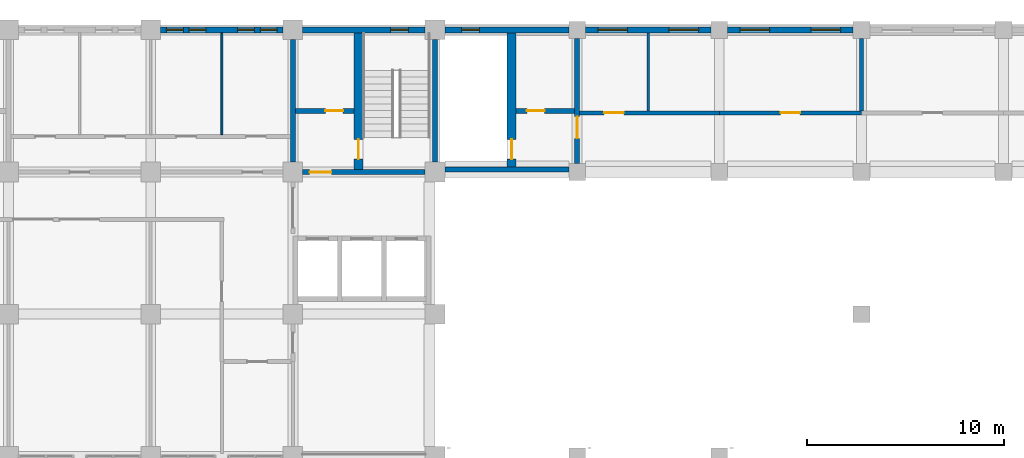
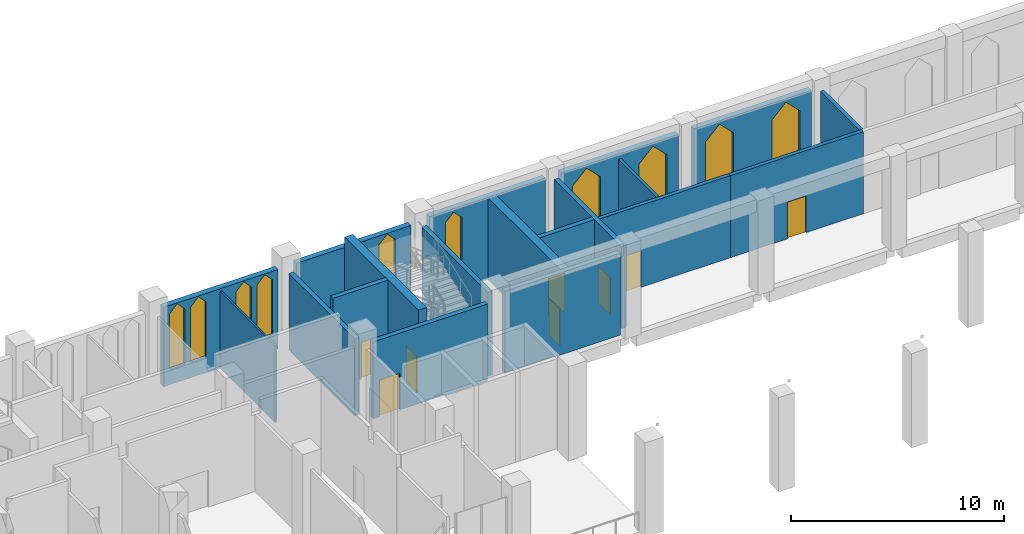
# One storey, part 32 of 48: 19 walls, 10 windows, 8 doors, 18 openings.
"""IFC4 building model written with IfcOpenShell, lengths in metres."""

from ifc_helpers import new_model, si_unit, direction, frame, frame_2d, origin, place, context, subcontext, project, spatial, polyline, rectangle, outline, extrude, material, layer, layer_set, type_object, element, fill, save


model = new_model("IFC4")

# Units and contexts
model_context = context("Model", 3, precision=1e-05, world=origin(), true_north=direction((0.0, 1.0)))
body_context = subcontext(model_context, "Body", "Model", "MODEL_VIEW")
ifc_project = project(units=[si_unit("LENGTHUNIT", "METRE"), si_unit("AREAUNIT", "SQUARE_METRE"), si_unit("VOLUMEUNIT", "CUBIC_METRE"), si_unit("PLANEANGLEUNIT", "RADIAN"), si_unit("MASSUNIT", "GRAM", prefix="KILO")], contexts=[model_context])

# Site, building, storey
site_placement = place(None, origin())
site = spatial("IfcSite", under=ifc_project, at=site_placement, CompositionType="ELEMENT")
building_placement = place(site_placement, origin())
building = spatial("IfcBuilding", under=site, at=building_placement, Name="Silangan Lancet Faculty of Sciences", CompositionType="ELEMENT")
storey_placement = place(building_placement, frame((0.0, 0.0, 6.0)))
storey = spatial("IfcBuildingStorey", under=building, at=storey_placement, Name="L01", CompositionType="ELEMENT", Elevation=6.0)

# Wall, opening, window
ifc_material_1 = material(Name="Concrete C40/50 precast", Category="concrete")
ifc_layer_1 = layer(ifc_material_1, 0.300048828125)
ifc_layer_set_1 = layer_set([ifc_layer_1], Name="Concrete C40/50 precast")
wall_type_1 = type_object("IfcWallType", Name="EW2 Turret enclosure wall", PredefinedType="STANDARD", material=ifc_layer_set_1)
wall_1_placement = place(storey_placement, frame((35.574951171875, 57.60009765625, 0.0), z_axis=(0.0, 0.0, 1.0), x_axis=(-1.0, 0.0, 0.0)))
wall_1 = element("IfcWall", 1, at=wall_1_placement, inside=storey, type_object=wall_type_1, Name="EW-L01-N-NAB-05", PredefinedType="STANDARD", context=body_context, shape_type="SweptSolid", body=[
    extrude(rectangle(XDim=6.27490234375, YDim=0.300048828125, at=frame_2d((3.137451171875, 0.0))), origin(), (0.0, 0.0, 1.0), 4.699951171875),
])
opening_1_placement = place(wall_1_placement, frame((4.52490234375, 0.0, 0.89990234375)))
opening_1 = element("IfcOpeningElement", 2, at=opening_1_placement, cuts=wall_1, Name="Opening W5", PredefinedType="OPENING", context=body_context, shape_type="SweptSolid", body=[
    extrude(outline(polyline([(0.0, 0.0), (0.89990234375, 0.0), (0.89990234375, 3.150146484375), (0.449951171875, 3.60009765625), (0.0, 3.150146484375), (0.0, 0.0)])), frame((0.0, 0.159912109375, 0.0), z_axis=(0.0, -1.0, 0.0), x_axis=(1.0, 0.0, 0.0)), (0.0, 0.0, 1.0), 0.320068359375),
])
ifc_material_2 = material(Name="Aluminium frame, laminated double glazing", Category="aluminium")
window_type_1 = type_object("IfcWindowType", Name="W5 Lancet window 900 x 3600", PartitioningType="SINGLE_PANEL", PredefinedType="WINDOW", material=ifc_material_2)
window_1_placement = place(opening_1_placement, origin())
window_1 = element("IfcWindow", 3, at=window_1_placement, inside=storey, type_object=window_type_1, Name="WIN-L01-N-NAB-05b", OverallHeight=3.60009765625, OverallWidth=0.89990234375, PartitioningType="SINGLE_PANEL", PredefinedType="WINDOW", context=body_context, shape_type="SweptSolid", body=[
    extrude(outline(polyline([(0.0, 0.0), (0.89990234375, 0.0), (0.89990234375, 3.150146484375), (0.449951171875, 3.60009765625), (0.0, 3.150146484375), (0.0, 0.0)])), frame((0.0, 0.030029296875, 0.0), z_axis=(0.0, -1.0, 0.0), x_axis=(1.0, 0.0, 0.0)), (0.0, 0.0, 1.0), 0.06005859375),
])
fill(opening_1, window_1)

wall_2_placement = place(storey_placement, frame((28.300048828125, 57.60009765625, 0.0), z_axis=(0.0, 0.0, 1.0), x_axis=(-1.0, 0.0, 0.0)))
wall_2 = element("IfcWall", 4, at=wall_2_placement, inside=storey, type_object=wall_type_1, Name="EW-L01-N-NT-00", PredefinedType="STANDARD", context=body_context, shape_type="SweptSolid", body=[
    extrude(rectangle(XDim=6.199951171875, YDim=0.300048828125, at=frame_2d((3.10009765625, 0.0))), origin(), (0.0, 0.0, 1.0), 4.550048828125),
])
opening_2_placement = place(wall_2_placement, frame((0.85009765625, 0.0, 0.89990234375)))
opening_2 = element("IfcOpeningElement", 5, at=opening_2_placement, cuts=wall_2, Name="Opening W5", PredefinedType="OPENING", context=body_context, shape_type="SweptSolid", body=[
    extrude(outline(polyline([(0.0, 0.0), (0.89990234375, 0.0), (0.89990234375, 3.150146484375), (0.449951171875, 3.60009765625), (0.0, 3.150146484375), (0.0, 0.0)])), frame((0.0, 0.159912109375, 0.0), z_axis=(0.0, -1.0, 0.0), x_axis=(1.0, 0.0, 0.0)), (0.0, 0.0, 1.0), 0.320068359375),
])
window_2_placement = place(opening_2_placement, origin())
window_2 = element("IfcWindow", 6, at=window_2_placement, inside=storey, type_object=window_type_1, Name="WIN-L01-N-NT-00a", OverallHeight=3.60009765625, OverallWidth=0.89990234375, PartitioningType="SINGLE_PANEL", PredefinedType="WINDOW", context=body_context, shape_type="SweptSolid", body=[
    extrude(outline(polyline([(0.0, 0.0), (0.89990234375, 0.0), (0.89990234375, 3.150146484375), (0.449951171875, 3.60009765625), (0.0, 3.150146484375), (0.0, 0.0)])), frame((0.0, 0.030029296875, 0.0), z_axis=(0.0, -1.0, 0.0), x_axis=(1.0, 0.0, 0.0)), (0.0, 0.0, 1.0), 0.06005859375),
])
fill(opening_2, window_2)

# Wall, openings, windows
ifc_material_3 = material(Name="Concrete C40/50", Category="concrete")
ifc_layer_2 = layer(ifc_material_3, 0.300048828125)
ifc_layer_set_2 = layer_set([ifc_layer_2], Name="Concrete C40/50")
wall_type_2 = type_object("IfcWallType", Name="EW6 Stone-faced base wall", PredefinedType="STANDARD", material=ifc_layer_set_2)
wall_3_placement = place(storey_placement, frame((49.97509765625, 57.60009765625, 0.0), z_axis=(0.0, 0.0, 1.0), x_axis=(-1.0, 0.0, 0.0)))
wall_3 = element("IfcWall", 7, at=wall_3_placement, inside=storey, type_object=wall_type_2, Name="EW-L01-N-NAB-03", PredefinedType="STANDARD", context=body_context, shape_type="SweptSolid", body=[
    extrude(rectangle(XDim=6.35009765625, YDim=0.300048828125, at=frame_2d((3.175048828125, 0.0))), origin(), (0.0, 0.0, 1.0), 4.699951171875),
])
opening_3_placement = place(wall_3_placement, frame((0.625, 0.0, 0.89990234375)))
opening_3 = element("IfcOpeningElement", 8, at=opening_3_placement, cuts=wall_3, Name="Opening W6", PredefinedType="OPENING", context=body_context, shape_type="SweptSolid", body=[
    extrude(outline(polyline([(0.0, 0.0), (1.5, 0.0), (1.5, 2.85009765625), (0.75, 3.60009765625), (0.0, 2.85009765625), (0.0, 0.0)])), frame((0.0, 0.159912109375, 0.0), z_axis=(0.0, -1.0, 0.0), x_axis=(1.0, 0.0, 0.0)), (0.0, 0.0, 1.0), 0.320068359375),
])
opening_4_placement = place(wall_3_placement, frame((4.22509765625, 0.0, 0.89990234375)))
opening_4 = element("IfcOpeningElement", 9, at=opening_4_placement, cuts=wall_3, Name="Opening W6", PredefinedType="OPENING", context=body_context, shape_type="SweptSolid", body=[
    extrude(outline(polyline([(0.0, 0.0), (1.5, 0.0), (1.5, 2.85009765625), (0.75, 3.60009765625), (0.0, 2.85009765625), (0.0, 0.0)])), frame((0.0, 0.159912109375, 0.0), z_axis=(0.0, -1.0, 0.0), x_axis=(1.0, 0.0, 0.0)), (0.0, 0.0, 1.0), 0.320068359375),
])
ifc_material_4 = material(Name="Aluminium frame, laminated double glazing", Category="aluminium")
window_type_2 = type_object("IfcWindowType", Name="W6 Lancet window 1500 x 3600", PartitioningType="SINGLE_PANEL", PredefinedType="WINDOW", material=ifc_material_4)
window_3_placement = place(opening_3_placement, origin())
window_3 = element("IfcWindow", 10, at=window_3_placement, inside=storey, type_object=window_type_2, Name="WIN-L01-N-NAB-03a", OverallHeight=3.60009765625, OverallWidth=1.5, PartitioningType="SINGLE_PANEL", PredefinedType="WINDOW", context=body_context, shape_type="SweptSolid", body=[
    extrude(outline(polyline([(0.0, 0.0), (1.5, 0.0), (1.5, 2.85009765625), (0.75, 3.60009765625), (0.0, 2.85009765625), (0.0, 0.0)])), frame((0.0, 0.030029296875, 0.0), z_axis=(0.0, -1.0, 0.0), x_axis=(1.0, 0.0, 0.0)), (0.0, 0.0, 1.0), 0.06005859375),
])
fill(opening_3, window_3)
window_4_placement = place(opening_4_placement, origin())
window_4 = element("IfcWindow", 11, at=window_4_placement, inside=storey, type_object=window_type_2, Name="WIN-L01-N-NAB-03b", OverallHeight=3.60009765625, OverallWidth=1.5, PartitioningType="SINGLE_PANEL", PredefinedType="WINDOW", context=body_context, shape_type="SweptSolid", body=[
    extrude(outline(polyline([(0.0, 0.0), (1.5, 0.0), (1.5, 2.85009765625), (0.75, 3.60009765625), (0.0, 2.85009765625), (0.0, 0.0)])), frame((0.0, 0.030029296875, 0.0), z_axis=(0.0, -1.0, 0.0), x_axis=(1.0, 0.0, 0.0)), (0.0, 0.0, 1.0), 0.06005859375),
])
fill(opening_4, window_4)

wall_4_placement = place(storey_placement, frame((42.77490234375, 57.60009765625, 0.0), z_axis=(0.0, 0.0, 1.0), x_axis=(-1.0, 0.0, 0.0)))
wall_4 = element("IfcWall", 12, at=wall_4_placement, inside=storey, type_object=wall_type_2, Name="EW-L01-N-NAB-04", PredefinedType="STANDARD", context=body_context, shape_type="SweptSolid", body=[
    extrude(rectangle(XDim=6.349853515625, YDim=0.300048828125, at=frame_2d((3.1748046875, 0.0))), origin(), (0.0, 0.0, 1.0), 4.699951171875),
])
opening_5_placement = place(wall_4_placement, frame((0.625, 0.0, 0.89990234375)))
opening_5 = element("IfcOpeningElement", 13, at=opening_5_placement, cuts=wall_4, Name="Opening W6", PredefinedType="OPENING", context=body_context, shape_type="SweptSolid", body=[
    extrude(outline(polyline([(0.0, 0.0), (1.5, 0.0), (1.5, 2.85009765625), (0.75, 3.60009765625), (0.0, 2.85009765625), (0.0, 0.0)])), frame((0.0, 0.159912109375, 0.0), z_axis=(0.0, -1.0, 0.0), x_axis=(1.0, 0.0, 0.0)), (0.0, 0.0, 1.0), 0.320068359375),
])
opening_6_placement = place(wall_4_placement, frame((4.22509765625, 0.0, 0.89990234375)))
opening_6 = element("IfcOpeningElement", 14, at=opening_6_placement, cuts=wall_4, Name="Opening W6", PredefinedType="OPENING", context=body_context, shape_type="SweptSolid", body=[
    extrude(outline(polyline([(0.0, 0.0), (1.5, 0.0), (1.5, 2.85009765625), (0.75, 3.60009765625), (0.0, 2.85009765625), (0.0, 0.0)])), frame((0.0, 0.159912109375, 0.0), z_axis=(0.0, -1.0, 0.0), x_axis=(1.0, 0.0, 0.0)), (0.0, 0.0, 1.0), 0.320068359375),
])
window_5_placement = place(opening_5_placement, origin())
window_5 = element("IfcWindow", 15, at=window_5_placement, inside=storey, type_object=window_type_2, Name="WIN-L01-N-NAB-04a", OverallHeight=3.60009765625, OverallWidth=1.5, PartitioningType="SINGLE_PANEL", PredefinedType="WINDOW", context=body_context, shape_type="SweptSolid", body=[
    extrude(outline(polyline([(0.0, 0.0), (1.5, 0.0), (1.5, 2.85009765625), (0.75, 3.60009765625), (0.0, 2.85009765625), (0.0, 0.0)])), frame((0.0, 0.030029296875, 0.0), z_axis=(0.0, -1.0, 0.0), x_axis=(1.0, 0.0, 0.0)), (0.0, 0.0, 1.0), 0.06005859375),
])
fill(opening_5, window_5)
window_6_placement = place(opening_6_placement, origin())
window_6 = element("IfcWindow", 16, at=window_6_placement, inside=storey, type_object=window_type_2, Name="WIN-L01-N-NAB-04b", OverallHeight=3.60009765625, OverallWidth=1.5, PartitioningType="SINGLE_PANEL", PredefinedType="WINDOW", context=body_context, shape_type="SweptSolid", body=[
    extrude(outline(polyline([(0.0, 0.0), (1.5, 0.0), (1.5, 2.85009765625), (0.75, 3.60009765625), (0.0, 2.85009765625), (0.0, 0.0)])), frame((0.0, 0.030029296875, 0.0), z_axis=(0.0, -1.0, 0.0), x_axis=(1.0, 0.0, 0.0)), (0.0, 0.0, 1.0), 0.06005859375),
])
fill(opening_6, window_6)

wall_5_placement = place(storey_placement, frame((21.10009765625, 57.60009765625, 0.0), z_axis=(0.0, 0.0, 1.0), x_axis=(-1.0, 0.0, 0.0)))
wall_5 = element("IfcWall", 17, at=wall_5_placement, inside=storey, type_object=wall_type_2, Name="EW-L01-N-NT-01", PredefinedType="STANDARD", context=body_context, shape_type="SweptSolid", body=[
    extrude(rectangle(XDim=6.2001953125, YDim=0.300048828125, at=frame_2d((3.10009765625, 0.0))), origin(), (0.0, 0.0, 1.0), 4.550048828125),
])
opening_7_placement = place(wall_5_placement, frame((0.300048828125, 0.0, 0.89990234375)))
opening_7 = element("IfcOpeningElement", 18, at=opening_7_placement, cuts=wall_5, Name="Opening W7", PredefinedType="OPENING", context=body_context, shape_type="SweptSolid", body=[
    extrude(outline(polyline([(0.0, 0.0), (0.85009765625, 0.0), (0.85009765625, 3.150146484375), (0.425048828125, 3.60009765625), (0.0, 3.150146484375), (0.0, 0.0)])), frame((0.0, 0.159912109375, 0.0), z_axis=(0.0, -1.0, 0.0), x_axis=(1.0, 0.0, 0.0)), (0.0, 0.0, 1.0), 0.320068359375),
])
opening_8_placement = place(wall_5_placement, frame((1.449951171875, 0.0, 0.89990234375)))
opening_8 = element("IfcOpeningElement", 19, at=opening_8_placement, cuts=wall_5, Name="Opening W7", PredefinedType="OPENING", context=body_context, shape_type="SweptSolid", body=[
    extrude(outline(polyline([(0.0, 0.0), (0.85009765625, 0.0), (0.85009765625, 3.150146484375), (0.425048828125, 3.60009765625), (0.0, 3.150146484375), (0.0, 0.0)])), frame((0.0, 0.159912109375, 0.0), z_axis=(0.0, -1.0, 0.0), x_axis=(1.0, 0.0, 0.0)), (0.0, 0.0, 1.0), 0.320068359375),
])
opening_9_placement = place(wall_5_placement, frame((3.89990234375, 0.0, 0.89990234375)))
opening_9 = element("IfcOpeningElement", 20, at=opening_9_placement, cuts=wall_5, Name="Opening W7", PredefinedType="OPENING", context=body_context, shape_type="SweptSolid", body=[
    extrude(outline(polyline([(0.0, 0.0), (0.85009765625, 0.0), (0.85009765625, 3.150146484375), (0.425048828125, 3.60009765625), (0.0, 3.150146484375), (0.0, 0.0)])), frame((0.0, 0.159912109375, 0.0), z_axis=(0.0, -1.0, 0.0), x_axis=(1.0, 0.0, 0.0)), (0.0, 0.0, 1.0), 0.320068359375),
])
opening_10_placement = place(wall_5_placement, frame((5.050048828125, 0.0, 0.89990234375)))
opening_10 = element("IfcOpeningElement", 21, at=opening_10_placement, cuts=wall_5, Name="Opening W7", PredefinedType="OPENING", context=body_context, shape_type="SweptSolid", body=[
    extrude(outline(polyline([(0.0, 0.0), (0.85009765625, 0.0), (0.85009765625, 3.150146484375), (0.425048828125, 3.60009765625), (0.0, 3.150146484375), (0.0, 0.0)])), frame((0.0, 0.159912109375, 0.0), z_axis=(0.0, -1.0, 0.0), x_axis=(1.0, 0.0, 0.0)), (0.0, 0.0, 1.0), 0.320068359375),
])
ifc_material_5 = material(Name="Aluminium frame, laminated double glazing", Category="aluminium")
window_type_3 = type_object("IfcWindowType", Name="W7 Lancet window 850 x 3600", PartitioningType="SINGLE_PANEL", PredefinedType="WINDOW", material=ifc_material_5)
window_7_placement = place(opening_7_placement, origin())
window_7 = element("IfcWindow", 22, at=window_7_placement, inside=storey, type_object=window_type_3, Name="WIN-L01-N-NT-01a1", OverallHeight=3.60009765625, OverallWidth=0.85009765625, PartitioningType="SINGLE_PANEL", PredefinedType="WINDOW", context=body_context, shape_type="SweptSolid", body=[
    extrude(outline(polyline([(0.0, 0.0), (0.85009765625, 0.0), (0.85009765625, 3.150146484375), (0.425048828125, 3.60009765625), (0.0, 3.150146484375), (0.0, 0.0)])), frame((0.0, 0.030029296875, 0.0), z_axis=(0.0, -1.0, 0.0), x_axis=(1.0, 0.0, 0.0)), (0.0, 0.0, 1.0), 0.06005859375),
])
fill(opening_7, window_7)
window_8_placement = place(opening_8_placement, origin())
window_8 = element("IfcWindow", 23, at=window_8_placement, inside=storey, type_object=window_type_3, Name="WIN-L01-N-NT-01a2", OverallHeight=3.60009765625, OverallWidth=0.85009765625, PartitioningType="SINGLE_PANEL", PredefinedType="WINDOW", context=body_context, shape_type="SweptSolid", body=[
    extrude(outline(polyline([(0.0, 0.0), (0.85009765625, 0.0), (0.85009765625, 3.150146484375), (0.425048828125, 3.60009765625), (0.0, 3.150146484375), (0.0, 0.0)])), frame((0.0, 0.030029296875, 0.0), z_axis=(0.0, -1.0, 0.0), x_axis=(1.0, 0.0, 0.0)), (0.0, 0.0, 1.0), 0.06005859375),
])
fill(opening_8, window_8)
window_9_placement = place(opening_9_placement, origin())
window_9 = element("IfcWindow", 24, at=window_9_placement, inside=storey, type_object=window_type_3, Name="WIN-L01-N-NT-01b1", OverallHeight=3.60009765625, OverallWidth=0.85009765625, PartitioningType="SINGLE_PANEL", PredefinedType="WINDOW", context=body_context, shape_type="SweptSolid", body=[
    extrude(outline(polyline([(0.0, 0.0), (0.85009765625, 0.0), (0.85009765625, 3.150146484375), (0.425048828125, 3.60009765625), (0.0, 3.150146484375), (0.0, 0.0)])), frame((0.0, 0.030029296875, 0.0), z_axis=(0.0, -1.0, 0.0), x_axis=(1.0, 0.0, 0.0)), (0.0, 0.0, 1.0), 0.06005859375),
])
fill(opening_9, window_9)
window_10_placement = place(opening_10_placement, origin())
window_10 = element("IfcWindow", 25, at=window_10_placement, inside=storey, type_object=window_type_3, Name="WIN-L01-N-NT-01b2", OverallHeight=3.60009765625, OverallWidth=0.85009765625, PartitioningType="SINGLE_PANEL", PredefinedType="WINDOW", context=body_context, shape_type="SweptSolid", body=[
    extrude(outline(polyline([(0.0, 0.0), (0.85009765625, 0.0), (0.85009765625, 3.150146484375), (0.425048828125, 3.60009765625), (0.0, 3.150146484375), (0.0, 0.0)])), frame((0.0, 0.030029296875, 0.0), z_axis=(0.0, -1.0, 0.0), x_axis=(1.0, 0.0, 0.0)), (0.0, 0.0, 1.0), 0.06005859375),
])
fill(opening_10, window_10)

# Wall, opening, door
ifc_material_6 = material(Name="Hollow block masonry fm 7 MPa", Category="masonry")
ifc_layer_3 = layer(ifc_material_6, 0.199951171875)
ifc_layer_set_3 = layer_set([ifc_layer_3], Name="Hollow block masonry fm 7 MPa")
wall_type_3 = type_object("IfcWallType", Name="Interior wall PW1 Corridor wall CHB 200", PredefinedType="PARTITIONING", material=ifc_layer_set_3)
wall_6_placement = place(storey_placement, frame((36.125, 53.39990234375, 0.0), z_axis=(0.0, 0.0, 1.0), x_axis=(1.0, 0.0, 0.0)))
wall_6 = element("IfcWall", 26, at=wall_6_placement, inside=storey, type_object=wall_type_3, Name="Corridor wall CHB 200", PredefinedType="PARTITIONING", context=body_context, shape_type="SweptSolid", body=[
    extrude(rectangle(XDim=7.074951171875, YDim=0.199951171875, at=frame_2d((3.53759765625, 0.0))), origin(), (0.0, 0.0, 1.0), 4.699951171875),
])
opening_11_placement = place(wall_6_placement, frame((1.237548828125, 0.0, 0.0)))
opening_11 = element("IfcOpeningElement", 27, at=opening_11_placement, cuts=wall_6, Name="Opening L01-034", PredefinedType="OPENING", context=body_context, shape_type="SweptSolid", body=[
    extrude(rectangle(XDim=1.0, YDim=2.10009765625, at=frame_2d((0.5, 1.050048828125))), frame((0.0, 0.10986328125, 0.0), z_axis=(0.0, -1.0, 0.0), x_axis=(1.0, 0.0, 0.0)), (0.0, 0.0, 1.0), 0.219970703125),
])
ifc_material_7 = material(Name="Steel fire door set", Category="steel")
door_type_1 = type_object("IfcDoorType", Name="Door D1 Single leaf fire door 1000 x 2100", OperationType="SINGLE_SWING_LEFT", PredefinedType="DOOR", material=ifc_material_7)
door_1_placement = place(opening_11_placement, origin())
door_1 = element("IfcDoor", 28, at=door_1_placement, inside=storey, type_object=door_type_1, Name="Single leaf fire door 1000 x 2100", OperationType="SINGLE_SWING_RIGHT", OverallHeight=2.10009765625, OverallWidth=1.0, PredefinedType="DOOR", context=body_context, shape_type="SweptSolid", body=[
    extrude(rectangle(XDim=1.0, YDim=2.10009765625, at=frame_2d((0.5, 1.050048828125))), frame((0.0, 0.02490234375, 0.0), z_axis=(0.0, -1.0, 0.0), x_axis=(1.0, 0.0, 0.0)), (0.0, 0.0, 1.0), 0.050048828125),
])
fill(opening_11, door_1)

wall_7_placement = place(storey_placement, frame((43.199951171875, 53.39990234375, 0.0), z_axis=(0.0, 0.0, 1.0), x_axis=(1.0, 0.0, 0.0)))
wall_7 = element("IfcWall", 29, at=wall_7_placement, inside=storey, type_object=wall_type_3, Name="Corridor wall CHB 200", PredefinedType="PARTITIONING", context=body_context, shape_type="SweptSolid", body=[
    extrude(rectangle(XDim=7.199951171875, YDim=0.199951171875, at=frame_2d((3.60009765625, 0.0))), origin(), (0.0, 0.0, 1.0), 4.699951171875),
])
opening_12_placement = place(wall_7_placement, frame((3.099853515625, 0.0, 0.0)))
opening_12 = element("IfcOpeningElement", 30, at=opening_12_placement, cuts=wall_7, Name="Opening L01-035", PredefinedType="OPENING", context=body_context, shape_type="SweptSolid", body=[
    extrude(rectangle(XDim=1.0, YDim=2.10009765625, at=frame_2d((0.5, 1.050048828125))), frame((0.0, 0.10986328125, 0.0), z_axis=(0.0, -1.0, 0.0), x_axis=(1.0, 0.0, 0.0)), (0.0, 0.0, 1.0), 0.219970703125),
])
door_2_placement = place(opening_12_placement, origin())
door_2 = element("IfcDoor", 31, at=door_2_placement, inside=storey, type_object=door_type_1, Name="Single leaf fire door 1000 x 2100", OperationType="SINGLE_SWING_LEFT", OverallHeight=2.10009765625, OverallWidth=1.0, PredefinedType="DOOR", context=body_context, shape_type="SweptSolid", body=[
    extrude(rectangle(XDim=1.0, YDim=2.10009765625, at=frame_2d((0.5, 1.050048828125))), frame((0.0, 0.02490234375, 0.0), z_axis=(0.0, -1.0, 0.0), x_axis=(1.0, 0.0, 0.0)), (0.0, 0.0, 1.0), 0.050048828125),
])
fill(opening_12, door_2)

# Walls
ifc_material_8 = material(Name="Hollow block masonry fm 7 MPa", Category="masonry")
ifc_layer_4 = layer(ifc_material_8, 0.14990234375)
ifc_layer_set_4 = layer_set([ifc_layer_4], Name="Hollow block masonry fm 7 MPa")
wall_type_4 = type_object("IfcWallType", Name="Interior wall PW3 Partition CHB 150", PredefinedType="PARTITIONING", material=ifc_layer_set_4)
wall_8_placement = place(storey_placement, frame((39.60009765625, 53.5, 0.0), z_axis=(0.0, 0.0, 1.0), x_axis=(0.0, 1.0, 0.0)))
element("IfcWall", 32, at=wall_8_placement, inside=storey, type_object=wall_type_4, Name="Partition CHB 150", PredefinedType="PARTITIONING", context=body_context, shape_type="SweptSolid", body=[
    extrude(rectangle(XDim=3.949951171875, YDim=0.14990234375, at=frame_2d((1.97509765625, 0.0))), origin(), (0.0, 0.0, 1.0), 4.39990234375),
])
ifc_material_9 = material(Name="Hollow block masonry fm 7 MPa", Category="masonry")
ifc_layer_5 = layer(ifc_material_9, 0.199951171875)
ifc_layer_set_5 = layer_set([ifc_layer_5], Name="Hollow block masonry fm 7 MPa")
wall_type_5 = type_object("IfcWallType", Name="Interior wall PW4 Laboratory separation CHB 200", PredefinedType="PARTITIONING", material=ifc_layer_set_5)
wall_9_placement = place(storey_placement, frame((50.39990234375, 53.5, 0.0), z_axis=(0.0, 0.0, 1.0), x_axis=(0.0, 1.0, 0.0)))
element("IfcWall", 33, at=wall_9_placement, inside=storey, type_object=wall_type_5, Name="Laboratory separation CHB 200", PredefinedType="PARTITIONING", context=body_context, shape_type="SweptSolid", body=[
    extrude(rectangle(XDim=3.675048828125, YDim=0.199951171875, at=frame_2d((1.83740234375, 0.0))), origin(), (0.0, 0.0, 1.0), 4.699951171875),
])
ifc_material_10 = material(Name="Hollow block masonry fm 7 MPa", Category="masonry")
ifc_layer_6 = layer(ifc_material_10, 0.10009765625)
ifc_layer_set_6 = layer_set([ifc_layer_6], Name="Hollow block masonry fm 7 MPa")
wall_type_6 = type_object("IfcWallType", Name="Interior wall PW8 WC partition CHB 100", PredefinedType="PARTITIONING", material=ifc_layer_set_6)
wall_10_placement = place(storey_placement, frame((18.0, 52.300048828125, 0.0), z_axis=(0.0, 0.0, 1.0), x_axis=(0.0, 1.0, 0.0)))
element("IfcWall", 34, at=wall_10_placement, inside=storey, type_object=wall_type_6, Name="WC partition CHB 100", PredefinedType="PARTITIONING", context=body_context, shape_type="SweptSolid", body=[
    extrude(rectangle(XDim=5.14990234375, YDim=0.10009765625, at=frame_2d((2.574951171875, 0.0))), origin(), (0.0, 0.0, 1.0), 4.39990234375),
])

# Wall, opening, door
ifc_material_11 = material(Name="Concrete C40/50", Category="concrete")
ifc_layer_7 = layer(ifc_material_11, 0.449951171875)
ifc_layer_set_7 = layer_set([ifc_layer_7], Name="Concrete C40/50")
wall_type_7 = type_object("IfcWallType", Name="TURRET CORE WALL RC 450", PredefinedType="SHEAR", material=ifc_layer_set_7)
wall_11_placement = place(storey_placement, frame((32.675048828125, 50.64990234375, 0.0), z_axis=(0.0, 0.0, 1.0), x_axis=(0.0, 1.0, 0.0)))
wall_11 = element("IfcWall", 35, at=wall_11_placement, inside=storey, type_object=wall_type_7, Name="WALL-L01-NAB-A-WELL", PredefinedType="SHEAR", context=body_context, shape_type="SweptSolid", body=[
    extrude(rectangle(XDim=6.800048828125, YDim=0.449951171875, at=frame_2d((3.39990234375, 0.0))), origin(), (0.0, 0.0, 1.0), 4.699951171875),
])
opening_13_placement = place(wall_11_placement, frame((0.39990234375, 0.0, 0.0)))
opening_13 = element("IfcOpeningElement", 36, at=opening_13_placement, cuts=wall_11, Name="Opening L01-707", PredefinedType="OPENING", context=body_context, shape_type="SweptSolid", body=[
    extrude(rectangle(XDim=1.0, YDim=2.10009765625, at=frame_2d((0.5, 1.050048828125))), frame((0.0, 0.23486328125, 0.0), z_axis=(0.0, -1.0, 0.0), x_axis=(1.0, 0.0, 0.0)), (0.0, 0.0, 1.0), 0.469970703125),
])
ifc_material_12 = material(Name="Steel fire door set", Category="steel")
door_type_2 = type_object("IfcDoorType", Name="D71 Stair enclosure door 1000x2100", OperationType="SINGLE_SWING_LEFT", PredefinedType="DOOR", material=ifc_material_12)
door_3_placement = place(opening_13_placement, origin())
door_3 = element("IfcDoor", 37, at=door_3_placement, inside=storey, type_object=door_type_2, Name="Stair enclosure door NAB-A L01", OperationType="SINGLE_SWING_LEFT", OverallHeight=2.10009765625, OverallWidth=1.0, PredefinedType="DOOR", context=body_context, shape_type="SweptSolid", body=[
    extrude(rectangle(XDim=1.0, YDim=2.10009765625, at=frame_2d((0.5, 1.050048828125))), frame((0.0, 0.02490234375, 0.0), z_axis=(0.0, -1.0, 0.0), x_axis=(1.0, 0.0, 0.0)), (0.0, 0.0, 1.0), 0.050048828125),
])
fill(opening_13, door_3)

wall_12_placement = place(storey_placement, frame((24.925048828125, 50.52490234375, 0.0), z_axis=(0.0, 0.0, 1.0), x_axis=(0.0, 1.0, 0.0)))
wall_12 = element("IfcWall", 38, at=wall_12_placement, inside=storey, type_object=wall_type_7, Name="WALL-L01-NT-B-WELL", PredefinedType="SHEAR", context=body_context, shape_type="SweptSolid", body=[
    extrude(rectangle(XDim=6.925048828125, YDim=0.449951171875, at=frame_2d((3.46240234375, 0.0))), origin(), (0.0, 0.0, 1.0), 5.14990234375),
])
opening_14_placement = place(wall_12_placement, frame((0.52490234375, 0.0, 0.0)))
opening_14 = element("IfcOpeningElement", 39, at=opening_14_placement, cuts=wall_12, Name="Opening L01-716", PredefinedType="OPENING", context=body_context, shape_type="SweptSolid", body=[
    extrude(rectangle(XDim=1.0, YDim=2.10009765625, at=frame_2d((0.5, 1.050048828125))), frame((0.0, 0.23486328125, 0.0), z_axis=(0.0, -1.0, 0.0), x_axis=(1.0, 0.0, 0.0)), (0.0, 0.0, 1.0), 0.469970703125),
])
door_4_placement = place(opening_14_placement, frame((1.0, 0.0, 0.0), z_axis=(0.0, 0.0, 1.0), x_axis=(-1.0, 0.0, 0.0)))
door_4 = element("IfcDoor", 40, at=door_4_placement, inside=storey, type_object=door_type_2, Name="Stair enclosure door NT-B L01", OperationType="SINGLE_SWING_RIGHT", OverallHeight=2.10009765625, OverallWidth=1.0, PredefinedType="DOOR", context=body_context, shape_type="SweptSolid", body=[
    extrude(rectangle(XDim=1.0, YDim=2.10009765625, at=frame_2d((0.5, 1.050048828125))), frame((0.0, 0.025146484375, 0.0), z_axis=(0.0, -1.0, 0.0), x_axis=(1.0, 0.0, 0.0)), (0.0, 0.0, 1.0), 0.050048828125),
])
fill(opening_14, door_4)

# Walls
ifc_material_13 = material(Name="Concrete C40/50", Category="concrete")
ifc_layer_8 = layer(ifc_material_13, 0.25)
ifc_layer_set_8 = layer_set([ifc_layer_8], Name="Concrete C40/50")
wall_type_8 = type_object("IfcWallType", Name="TURRET WALL RC 250", PredefinedType="SHEAR", material=ifc_layer_set_8)
wall_13_placement = place(storey_placement, frame((29.300048828125, 50.52490234375, 0.0), z_axis=(0.0, 0.0, 1.0), x_axis=(1.0, 0.0, 0.0)))
element("IfcWall", 41, at=wall_13_placement, inside=storey, type_object=wall_type_8, Name="WALL-L01-NAB-A-V", PredefinedType="SHEAR", context=body_context, shape_type="SweptSolid", body=[
    extrude(rectangle(XDim=6.27490234375, YDim=0.25, at=frame_2d((3.137451171875, 0.0))), origin(), (0.0, 0.0, 1.0), 4.699951171875),
])
wall_14_placement = place(storey_placement, frame((28.800048828125, 50.89990234375, -0.25), z_axis=(0.0, 0.0, 1.0), x_axis=(0.0, 1.0, 0.0)))
element("IfcWall", 42, at=wall_14_placement, inside=storey, type_object=wall_type_8, Name="WALL-L01-NAB-A-W", PredefinedType="SHEAR", context=body_context, shape_type="SweptSolid", body=[
    extrude(rectangle(XDim=6.2001953125, YDim=0.25, at=frame_2d((3.10009765625, 0.0))), origin(), (0.0, 0.0, 1.0), 4.800048828125),
])

# Wall, opening, door
wall_15_placement = place(storey_placement, frame((36.0, 50.824951171875, 0.0), z_axis=(0.0, 0.0, 1.0), x_axis=(0.0, 1.0, 0.0)))
wall_15 = element("IfcWall", 43, at=wall_15_placement, inside=storey, type_object=wall_type_8, Name="WALL-L01-NAB-A-O", PredefinedType="SHEAR", context=body_context, shape_type="SweptSolid", body=[
    extrude(rectangle(XDim=6.35009765625, YDim=0.25, at=frame_2d((3.175048828125, 0.0))), origin(), (0.0, 0.0, 1.0), 4.699951171875),
])
opening_15_placement = place(wall_15_placement, frame((1.27490234375, 0.0, 0.0)))
opening_15 = element("IfcOpeningElement", 44, at=opening_15_placement, cuts=wall_15, Name="Opening L01-708", PredefinedType="OPENING", context=body_context, shape_type="SweptSolid", body=[
    extrude(rectangle(XDim=1.10009765625, YDim=2.10009765625, at=frame_2d((0.550048828125, 1.050048828125))), frame((0.0, 0.135009765625, 0.0), z_axis=(0.0, -1.0, 0.0), x_axis=(1.0, 0.0, 0.0)), (0.0, 0.0, 1.0), 0.27001953125),
])
ifc_material_14 = material(Name="Steel fire door set", Category="steel")
door_type_3 = type_object("IfcDoorType", Name="D70 Stair vestibule door 1100x2100", OperationType="SINGLE_SWING_LEFT", PredefinedType="DOOR", material=ifc_material_14)
door_5_placement = place(opening_15_placement, origin())
door_5 = element("IfcDoor", 45, at=door_5_placement, inside=storey, type_object=door_type_3, Name="Stair vestibule door NAB-A L01", OperationType="SINGLE_SWING_LEFT", OverallHeight=2.10009765625, OverallWidth=1.10009765625, PredefinedType="DOOR", context=body_context, shape_type="SweptSolid", body=[
    extrude(rectangle(XDim=1.10009765625, YDim=2.10009765625, at=frame_2d((0.550048828125, 1.050048828125))), frame((0.0, 0.02490234375, 0.0), z_axis=(0.0, -1.0, 0.0), x_axis=(1.0, 0.0, 0.0)), (0.0, 0.0, 1.0), 0.050048828125),
])
fill(opening_15, door_5)

wall_16_placement = place(storey_placement, frame((32.89990234375, 53.5, 0.0), z_axis=(0.0, 0.0, 1.0), x_axis=(1.0, 0.0, 0.0)))
wall_16 = element("IfcWall", 46, at=wall_16_placement, inside=storey, type_object=wall_type_8, Name="WALL-L01-NAB-A-RISER", PredefinedType="SHEAR", context=body_context, shape_type="SweptSolid", body=[
    extrude(rectangle(XDim=2.97509765625, YDim=0.25, at=frame_2d((1.487548828125, 0.0))), origin(), (0.0, 0.0, 1.0), 4.699951171875),
])
opening_16_placement = place(wall_16_placement, frame((0.550048828125, 0.0, 0.0)))
opening_16 = element("IfcOpeningElement", 47, at=opening_16_placement, cuts=wall_16, Name="Opening L01-709", PredefinedType="OPENING", context=body_context, shape_type="SweptSolid", body=[
    extrude(rectangle(XDim=0.89990234375, YDim=2.10009765625, at=frame_2d((0.449951171875, 1.050048828125))), frame((0.0, 0.135009765625, 0.0), z_axis=(0.0, -1.0, 0.0), x_axis=(1.0, 0.0, 0.0)), (0.0, 0.0, 1.0), 0.27001953125),
])
ifc_material_15 = material(Name="Steel fire door set", Category="steel")
door_type_4 = type_object("IfcDoorType", Name="D72 Riser access door 900x2100", OperationType="SINGLE_SWING_LEFT", PredefinedType="DOOR", material=ifc_material_15)
door_6_placement = place(opening_16_placement, origin())
door_6 = element("IfcDoor", 48, at=door_6_placement, inside=storey, type_object=door_type_4, Name="Riser access door NAB-A L01", OperationType="SINGLE_SWING_RIGHT", OverallHeight=2.10009765625, OverallWidth=0.89990234375, PredefinedType="DOOR", context=body_context, shape_type="SweptSolid", body=[
    extrude(rectangle(XDim=0.89990234375, YDim=2.10009765625, at=frame_2d((0.449951171875, 1.050048828125))), frame((0.0, 0.02490234375, 0.0), z_axis=(0.0, -1.0, 0.0), x_axis=(1.0, 0.0, 0.0)), (0.0, 0.0, 1.0), 0.050048828125),
])
fill(opening_16, door_6)

wall_17_placement = place(storey_placement, frame((22.10009765625, 50.39990234375, 0.0), z_axis=(0.0, 0.0, 1.0), x_axis=(1.0, 0.0, 0.0)))
wall_17 = element("IfcWall", 49, at=wall_17_placement, inside=storey, type_object=wall_type_8, Name="WALL-L01-NT-B-V", PredefinedType="SHEAR", context=body_context, shape_type="SweptSolid", body=[
    extrude(rectangle(XDim=6.199951171875, YDim=0.25, at=frame_2d((3.10009765625, 0.0))), origin(), (0.0, 0.0, 1.0), 4.39990234375),
])
opening_17_placement = place(wall_17_placement, frame((0.35009765625, 0.0, 0.0)))
opening_17 = element("IfcOpeningElement", 50, at=opening_17_placement, cuts=wall_17, Name="Opening L01-717", PredefinedType="OPENING", context=body_context, shape_type="SweptSolid", body=[
    extrude(rectangle(XDim=1.10009765625, YDim=2.10009765625, at=frame_2d((0.550048828125, 1.050048828125))), frame((0.0, 0.135009765625, 0.0), z_axis=(0.0, -1.0, 0.0), x_axis=(1.0, 0.0, 0.0)), (0.0, 0.0, 1.0), 0.27001953125),
])
door_7_placement = place(opening_17_placement, origin())
door_7 = element("IfcDoor", 51, at=door_7_placement, inside=storey, type_object=door_type_3, Name="Stair vestibule door NT-B L01", OperationType="SINGLE_SWING_LEFT", OverallHeight=2.10009765625, OverallWidth=1.10009765625, PredefinedType="DOOR", context=body_context, shape_type="SweptSolid", body=[
    extrude(rectangle(XDim=1.10009765625, YDim=2.10009765625, at=frame_2d((0.550048828125, 1.050048828125))), frame((0.0, 0.02490234375, 0.0), z_axis=(0.0, -1.0, 0.0), x_axis=(1.0, 0.0, 0.0)), (0.0, 0.0, 1.0), 0.050048828125),
])
fill(opening_17, door_7)

# Wall
wall_18_placement = place(storey_placement, frame((21.60009765625, 50.89990234375, 0.0), z_axis=(0.0, 0.0, 1.0), x_axis=(0.0, 1.0, 0.0)))
element("IfcWall", 52, at=wall_18_placement, inside=storey, type_object=wall_type_8, Name="WALL-L01-NT-B-O", PredefinedType="SHEAR", context=body_context, shape_type="SweptSolid", body=[
    extrude(rectangle(XDim=6.2001953125, YDim=0.25, at=frame_2d((3.10009765625, 0.0))), origin(), (0.0, 0.0, 1.0), 4.39990234375),
])

# Wall, opening, door
wall_19_placement = place(storey_placement, frame((21.72509765625, 53.5, 0.0), z_axis=(0.0, 0.0, 1.0), x_axis=(1.0, 0.0, 0.0)))
wall_19 = element("IfcWall", 53, at=wall_19_placement, inside=storey, type_object=wall_type_8, Name="WALL-L01-NT-B-RISER", PredefinedType="SHEAR", context=body_context, shape_type="SweptSolid", body=[
    extrude(rectangle(XDim=2.974853515625, YDim=0.25, at=frame_2d((1.4873046875, 0.0))), origin(), (0.0, 0.0, 1.0), 5.14990234375),
])
opening_18_placement = place(wall_19_placement, frame((1.52490234375, 0.0, 0.0)))
opening_18 = element("IfcOpeningElement", 54, at=opening_18_placement, cuts=wall_19, Name="Opening L01-718", PredefinedType="OPENING", context=body_context, shape_type="SweptSolid", body=[
    extrude(rectangle(XDim=0.89990234375, YDim=2.10009765625, at=frame_2d((0.449951171875, 1.050048828125))), frame((0.0, 0.135009765625, 0.0), z_axis=(0.0, -1.0, 0.0), x_axis=(1.0, 0.0, 0.0)), (0.0, 0.0, 1.0), 0.27001953125),
])
door_8_placement = place(opening_18_placement, origin())
door_8 = element("IfcDoor", 55, at=door_8_placement, inside=storey, type_object=door_type_4, Name="Riser access door NT-B L01", OperationType="SINGLE_SWING_LEFT", OverallHeight=2.10009765625, OverallWidth=0.89990234375, PredefinedType="DOOR", context=body_context, shape_type="SweptSolid", body=[
    extrude(rectangle(XDim=0.89990234375, YDim=2.10009765625, at=frame_2d((0.449951171875, 1.050048828125))), frame((0.0, 0.02490234375, 0.0), z_axis=(0.0, -1.0, 0.0), x_axis=(1.0, 0.0, 0.0)), (0.0, 0.0, 1.0), 0.050048828125),
])
fill(opening_18, door_8)

save(model, "model.ifc")
